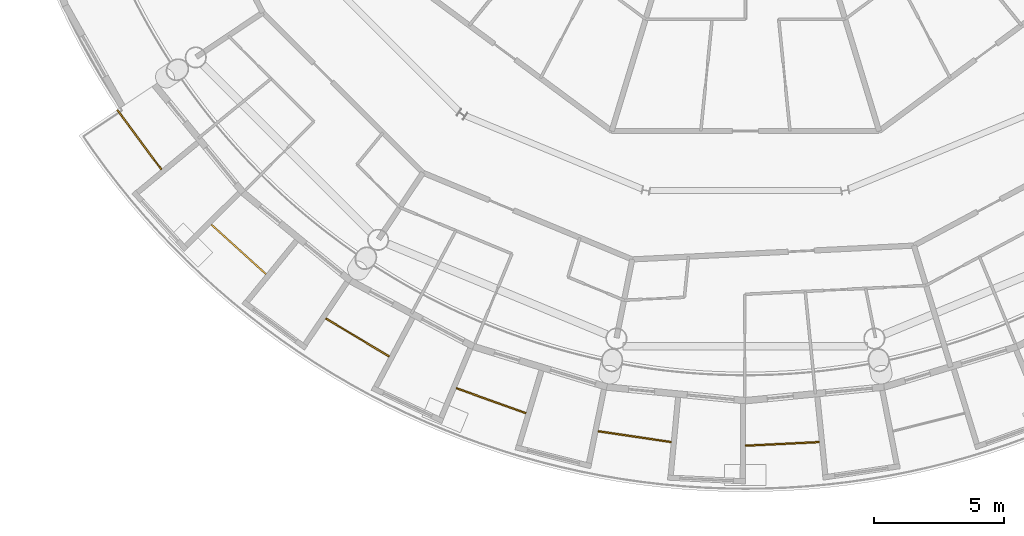
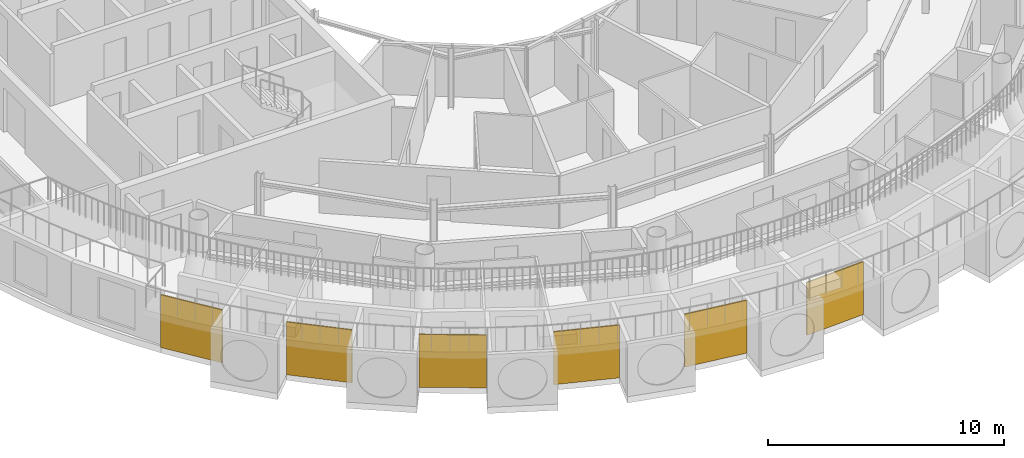
# One storey, part 27 of 29: 6 railings.
"""IFC4 building model written with IfcOpenShell, lengths in metres."""

from ifc_helpers import new_model, si_unit, direction, frame, origin, place, context, subcontext, project, spatial, polyline, outline, extrude, material, layer, layer_set, type_object, element, save


model = new_model("IFC4")

# Units and contexts
model_context = context("Model", 3, precision=1e-05, world=origin(), true_north=direction((0.0, 1.0)))
body_context = subcontext(model_context, "Body", "Model", "MODEL_VIEW")
ifc_project = project(units=[si_unit("LENGTHUNIT", "METRE"), si_unit("AREAUNIT", "SQUARE_METRE"), si_unit("VOLUMEUNIT", "CUBIC_METRE"), si_unit("PLANEANGLEUNIT", "RADIAN"), si_unit("MASSUNIT", "GRAM", prefix="KILO")], contexts=[model_context])

# Site, building, storey
site_placement = place(None, origin())
site = spatial("IfcSite", under=ifc_project, at=site_placement, CompositionType="ELEMENT")
building_placement = place(site_placement, origin())
building = spatial("IfcBuilding", under=site, at=building_placement, Name="Maasbend Ring Residences", CompositionType="ELEMENT")
storey_placement = place(building_placement, frame((0.0, 0.0, 234.050048828125)))
storey = spatial("IfcBuildingStorey", under=building, at=storey_placement, Name="L67", CompositionType="ELEMENT", Elevation=234.050048828125)

# Railings
ifc_material = material(Name="Pale anodised perforated aluminium", Category="aluminium")
ifc_layer = layer(ifc_material, 0.06005859375)
ifc_layer_set = layer_set([ifc_layer], Name="SCREEN-P")
railing_type = type_object("IfcRailingType", Name="SCREEN-P", PredefinedType="GUARDRAIL", material=ifc_layer_set)
railing_1_placement = place(storey_placement, frame((0.0, 0.0, -0.030029296875)))
element("IfcRailing", 1, at=railing_1_placement, inside=storey, type_object=railing_type, Name="Perforated screen guard 1", PredefinedType="GUARDRAIL", context=body_context, shape_type="SweptSolid", body=[
    extrude(outline(polyline([(-24.113037109375, -16.112060546875), (-22.4169921875, -18.39697265625), (-22.465087890625, -18.43310546875), (-24.160888671875, -16.14697265625), (-24.113037109375, -16.112060546875)])), origin(), (0.0, 0.0, 1.0), 2.72998046875),
])
railing_2_placement = place(storey_placement, frame((0.0, 0.0, -0.030029296875)))
element("IfcRailing", 2, at=railing_2_placement, inside=storey, type_object=railing_type, Name="Perforated screen guard 2", PredefinedType="GUARDRAIL", context=body_context, shape_type="SweptSolid", body=[
    extrude(outline(polyline([(-20.506103515625, -20.506103515625), (-18.39697265625, -22.4169921875), (-18.43798828125, -22.4619140625), (-20.5458984375, -20.551025390625), (-20.506103515625, -20.506103515625)])), origin(), (0.0, 0.0, 1.0), 2.72998046875),
])
railing_3_placement = place(storey_placement, frame((0.0, 0.0, -0.030029296875)))
element("IfcRailing", 3, at=railing_3_placement, inside=storey, type_object=railing_type, Name="Perforated screen guard 3", PredefinedType="GUARDRAIL", context=body_context, shape_type="SweptSolid", body=[
    extrude(outline(polyline([(-16.112060546875, -24.113037109375), (-13.6708984375, -25.575927734375), (-13.700927734375, -25.626953125), (-16.14208984375, -24.1640625), (-16.112060546875, -24.113037109375)])), origin(), (0.0, 0.0, 1.0), 2.72998046875),
])
railing_4_placement = place(storey_placement, frame((0.0, 0.0, -0.030029296875)))
element("IfcRailing", 4, at=railing_4_placement, inside=storey, type_object=railing_type, Name="Perforated screen guard 4", PredefinedType="GUARDRAIL", context=body_context, shape_type="SweptSolid", body=[
    extrude(outline(polyline([(-11.097900390625, -26.79296875), (-8.41796875, -27.7509765625), (-8.43798828125, -27.80810546875), (-11.117919921875, -26.84912109375), (-11.097900390625, -26.79296875)])), origin(), (0.0, 0.0, 1.0), 2.72998046875),
])
railing_5_placement = place(storey_placement, frame((0.0, 0.0, -0.030029296875)))
element("IfcRailing", 5, at=railing_5_placement, inside=storey, type_object=railing_type, Name="Perforated screen guard 5", PredefinedType="GUARDRAIL", context=body_context, shape_type="SweptSolid", body=[
    extrude(outline(polyline([(-5.657958984375, -28.443115234375), (-2.842041015625, -28.860107421875), (-2.85107421875, -28.919921875), (-5.666015625, -28.501953125), (-5.657958984375, -28.443115234375)])), origin(), (0.0, 0.0, 1.0), 2.72998046875),
])
railing_6_placement = place(storey_placement, frame((0.0, 0.0, -0.030029296875)))
element("IfcRailing", 6, at=railing_6_placement, inside=storey, type_object=railing_type, Name="Perforated screen guard 6", PredefinedType="GUARDRAIL", context=body_context, shape_type="SweptSolid", body=[
    extrude(outline(polyline([(0.0, -29.0), (2.842041015625, -28.860107421875), (2.844970703125, -28.919921875), (0.0029296875, -29.06005859375), (0.0, -29.0)])), origin(), (0.0, 0.0, 1.0), 2.72998046875),
])

save(model, "model.ifc")
